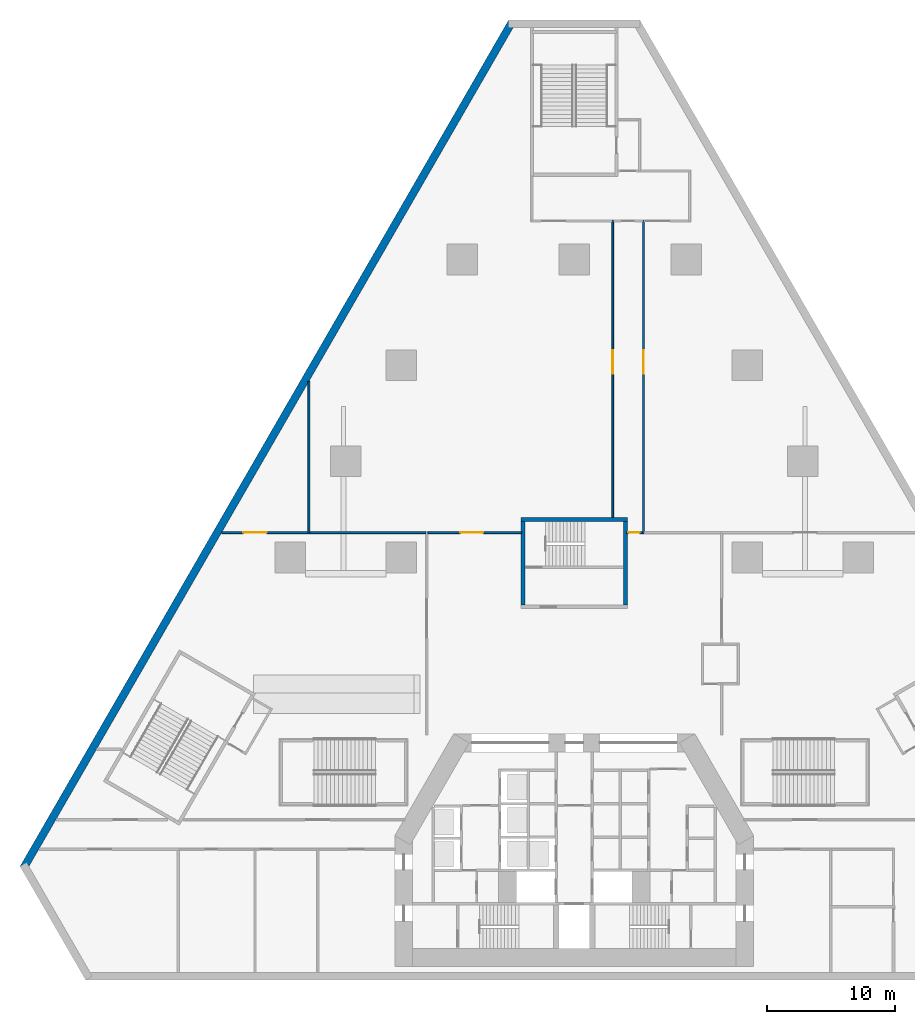
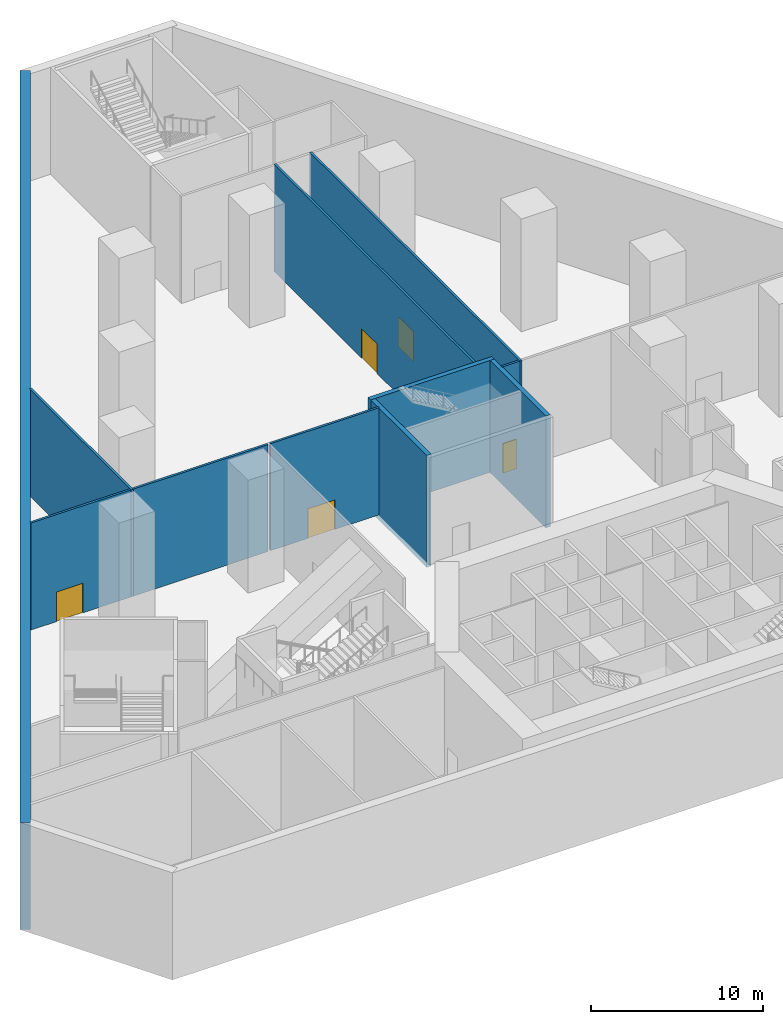
# One storey, part 5 of 11: 11 walls, 5 doors, 5 openings.
"""IFC4 building model written with IfcOpenShell, lengths in metres."""

from ifc_helpers import new_model, si_unit, direction, frame, frame_2d, origin, place, context, subcontext, project, spatial, rectangle, extrude, material, layer, layer_set, type_object, element, fill, save


model = new_model("IFC4")

# Units and contexts
model_context = context("Model", 3, precision=1e-05, world=origin(), true_north=direction((0.0, 1.0)))
body_context = subcontext(model_context, "Body", "Model", "MODEL_VIEW")
ifc_project = project(units=[si_unit("LENGTHUNIT", "METRE"), si_unit("AREAUNIT", "SQUARE_METRE"), si_unit("VOLUMEUNIT", "CUBIC_METRE"), si_unit("PLANEANGLEUNIT", "RADIAN"), si_unit("MASSUNIT", "GRAM", prefix="KILO")], contexts=[model_context])

# Site, building, storey
site_placement = place(None, origin())
site = spatial("IfcSite", under=ifc_project, at=site_placement, CompositionType="ELEMENT")
building_placement = place(site_placement, origin())
building = spatial("IfcBuilding", under=site, at=building_placement, Name="Fogline Exchange Tower", CompositionType="ELEMENT")
storey_placement = place(building_placement, frame((0.0, 0.0, -8.0)))
storey = spatial("IfcBuildingStorey", under=building, at=storey_placement, Name="B1", CompositionType="ELEMENT", Elevation=-8.0)

# Walls
ifc_material_1 = material(Name="Concrete C40", Category="concrete")
ifc_layer_1 = layer(ifc_material_1, 0.300048828125)
ifc_layer_set_1 = layer_set([ifc_layer_1], Name="CW30")
wall_type_1 = type_object("IfcWallType", Name="CW30", PredefinedType="SOLIDWALL", material=ifc_layer_set_1)
wall_1_placement = place(storey_placement, frame((-4.14990234375, 35.70703125, -0.35009765625), z_axis=(0.0, 0.0, 1.0), x_axis=(1.0, 0.0, 0.0)))
element("IfcWall", 1, at=wall_1_placement, inside=storey, type_object=wall_type_1, Name="Stair enclosure wall ST3", PredefinedType="SOLIDWALL", context=body_context, shape_type="SweptSolid", body=[
    extrude(rectangle(XDim=8.2998046875, YDim=0.300048828125, at=frame_2d((4.14990234375, 0.0))), origin(), (0.0, 0.0, 1.0), 7.9501953125),
])
for number, where, z_axis, x_axis, name in (
    (2, (-4.0, 29.056884765625, -0.35009765625), (0.0, 0.0, 1.0), (0.0, 1.0, 0.0), "Stair enclosure wall ST3"),
    (3, (4.0, 29.056884765625, -0.35009765625), (0.0, 0.0, 1.0), (0.0, 1.0, 0.0), "Stair enclosure wall ST3"),
):
    element("IfcWall", number, at=place(storey_placement, frame(where, z_axis=z_axis, x_axis=x_axis)), inside=storey, type_object=wall_type_1, Name=name, PredefinedType="SOLIDWALL", context=body_context, shape_type="SweptSolid", body=[
        extrude(rectangle(XDim=6.5, YDim=0.300048828125, at=frame_2d((3.25, 0.0))), origin(), (0.0, 0.0, 1.0), 7.9501953125),
    ])

# Wall, opening, door
ifc_material_2 = material(Name="Plasterboard on steel stud", Category="steel")
ifc_layer_2 = layer(ifc_material_2, 0.14990234375)
ifc_layer_set_2 = layer_set([ifc_layer_2], Name="PP1")
wall_type_2 = type_object("IfcWallType", Name="PP1", PredefinedType="PARTITIONING", material=ifc_layer_set_2)
wall_2_placement = place(storey_placement, frame((-20.77490234375, 34.699951171875, 0.0), z_axis=(0.0, 0.0, 1.0), x_axis=(-1.0, 0.0, 0.0)))
wall_2 = element("IfcWall", 4, at=wall_2_placement, inside=storey, type_object=wall_type_2, Name="PP1 partition", PredefinedType="PARTITIONING", context=body_context, shape_type="SweptSolid", body=[
    extrude(rectangle(XDim=6.729248046875, YDim=0.14990234375, at=frame_2d((3.36474609375, 0.0))), origin(), (0.0, 0.0, 1.0), 7.60009765625),
])
opening_1_placement = place(wall_2_placement, frame((3.22509765625, 0.0, 0.0)))
opening_1 = element("IfcOpeningElement", 5, at=opening_1_placement, cuts=wall_2, Name="Opening B1-D021", PredefinedType="OPENING", context=body_context, shape_type="SweptSolid", body=[
    extrude(rectangle(XDim=1.800048828125, YDim=2.10009765625, at=frame_2d((0.89990234375, 1.050048828125))), frame((0.0, 0.0849609375, 0.0), z_axis=(0.0, -1.0, 0.0), x_axis=(1.0, 0.0, 0.0)), (0.0, 0.0, 1.0), 0.169921875),
])
ifc_material_3 = material(Name="Timber", Category="wood")
door_type_1 = type_object("IfcDoorType", Name="PD3", OperationType="DOUBLE_DOOR_SINGLE_SWING", PredefinedType="DOOR", material=ifc_material_3)
door_1_placement = place(opening_1_placement, frame((1.800048828125, 0.0, 0.0), z_axis=(0.0, 0.0, 1.0), x_axis=(-1.0, 0.0, 0.0)))
door_1 = element("IfcDoor", 6, at=door_1_placement, inside=storey, type_object=door_type_1, Name="B1-D021", OperationType="DOUBLE_DOOR_SINGLE_SWING", OverallHeight=2.10009765625, OverallWidth=1.800048828125, PredefinedType="DOOR", context=body_context, shape_type="SweptSolid", body=[
    extrude(rectangle(XDim=1.800048828125, YDim=2.10009765625, at=frame_2d((0.89990234375, 1.050048828125))), frame((0.0, 0.02490234375, 0.0), z_axis=(0.0, -1.0, 0.0), x_axis=(1.0, 0.0, 0.0)), (0.0, 0.0, 1.0), 0.050048828125),
])
fill(opening_1, door_1)

# Wall
wall_3_placement = place(storey_placement, frame((-11.574951171875, 34.699951171875, 0.0), z_axis=(0.0, 0.0, 1.0), x_axis=(-1.0, 0.0, 0.0)))
element("IfcWall", 7, at=wall_3_placement, inside=storey, type_object=wall_type_2, Name="PP1 partition", PredefinedType="PARTITIONING", context=body_context, shape_type="SweptSolid", body=[
    extrude(rectangle(XDim=9.050048828125, YDim=0.14990234375, at=frame_2d((4.52490234375, 0.0))), origin(), (0.0, 0.0, 1.0), 7.60009765625),
])

# Wall, opening, door
wall_4_placement = place(storey_placement, frame((-4.10498046875, 34.699951171875, 0.0), z_axis=(0.0, 0.0, 1.0), x_axis=(-1.0, 0.0, 0.0)))
wall_4 = element("IfcWall", 8, at=wall_4_placement, inside=storey, type_object=wall_type_2, Name="PP1 partition", PredefinedType="PARTITIONING", context=body_context, shape_type="SweptSolid", body=[
    extrude(rectangle(XDim=7.320068359375, YDim=0.14990234375, at=frame_2d((3.66015625, 0.0))), origin(), (0.0, 0.0, 1.0), 7.60009765625),
])
opening_2_placement = place(wall_4_placement, frame((2.9951171875, 0.0, 0.0)))
opening_2 = element("IfcOpeningElement", 9, at=opening_2_placement, cuts=wall_4, Name="Opening B1-D022", PredefinedType="OPENING", context=body_context, shape_type="SweptSolid", body=[
    extrude(rectangle(XDim=1.800048828125, YDim=2.10009765625, at=frame_2d((0.89990234375, 1.050048828125))), frame((0.0, 0.0849609375, 0.0), z_axis=(0.0, -1.0, 0.0), x_axis=(1.0, 0.0, 0.0)), (0.0, 0.0, 1.0), 0.169921875),
])
door_2_placement = place(opening_2_placement, frame((1.800048828125, 0.0, 0.0), z_axis=(0.0, 0.0, 1.0), x_axis=(-1.0, 0.0, 0.0)))
door_2 = element("IfcDoor", 10, at=door_2_placement, inside=storey, type_object=door_type_1, Name="B1-D022", OperationType="DOUBLE_DOOR_SINGLE_SWING", OverallHeight=2.10009765625, OverallWidth=1.800048828125, PredefinedType="DOOR", context=body_context, shape_type="SweptSolid", body=[
    extrude(rectangle(XDim=1.800048828125, YDim=2.10009765625, at=frame_2d((0.89990234375, 1.050048828125))), frame((0.0, 0.02490234375, 0.0), z_axis=(0.0, -1.0, 0.0), x_axis=(1.0, 0.0, 0.0)), (0.0, 0.0, 1.0), 0.050048828125),
])
fill(opening_2, door_2)

wall_5_placement = place(storey_placement, frame((5.324951171875, 34.699951171875, 0.0), z_axis=(0.0, 0.0, 1.0), x_axis=(-1.0, 0.0, 0.0)))
wall_5 = element("IfcWall", 11, at=wall_5_placement, inside=storey, type_object=wall_type_2, Name="PP1 partition", PredefinedType="PARTITIONING", context=body_context, shape_type="SweptSolid", body=[
    extrude(rectangle(XDim=1.219970703125, YDim=0.14990234375, at=frame_2d((0.60986328125, 0.0))), origin(), (0.0, 0.0, 1.0), 7.60009765625),
])
opening_3_placement = place(wall_5_placement, frame((0.199951171875, 0.0, 0.0)))
opening_3 = element("IfcOpeningElement", 12, at=opening_3_placement, cuts=wall_5, Name="Opening B1-D026", PredefinedType="OPENING", context=body_context, shape_type="SweptSolid", body=[
    extrude(rectangle(XDim=0.89990234375, YDim=2.10009765625, at=frame_2d((0.449951171875, 1.050048828125))), frame((0.0, 0.0849609375, 0.0), z_axis=(0.0, -1.0, 0.0), x_axis=(1.0, 0.0, 0.0)), (0.0, 0.0, 1.0), 0.169921875),
])
door_type_2 = type_object("IfcDoorType", Name="PD2", OperationType="SINGLE_SWING_LEFT", PredefinedType="DOOR", material=ifc_material_3)
door_3_placement = place(opening_3_placement, frame((0.89990234375, 0.0, 0.0), z_axis=(0.0, 0.0, 1.0), x_axis=(-1.0, 0.0, 0.0)))
door_3 = element("IfcDoor", 13, at=door_3_placement, inside=storey, type_object=door_type_2, Name="B1-D026", OperationType="SINGLE_SWING_LEFT", OverallHeight=2.10009765625, OverallWidth=0.89990234375, PredefinedType="DOOR", context=body_context, shape_type="SweptSolid", body=[
    extrude(rectangle(XDim=0.89990234375, YDim=2.10009765625, at=frame_2d((0.449951171875, 1.050048828125))), frame((0.0, 0.02490234375, 0.0), z_axis=(0.0, -1.0, 0.0), x_axis=(1.0, 0.0, 0.0)), (0.0, 0.0, 1.0), 0.050048828125),
])
fill(opening_3, door_3)

wall_6_placement = place(storey_placement, frame((3.0, 35.81201171875, 0.0), z_axis=(0.0, 0.0, 1.0), x_axis=(0.0, 1.0, 0.0)))
wall_6 = element("IfcWall", 14, at=wall_6_placement, inside=storey, type_object=wall_type_2, Name="PP1 partition", PredefinedType="PARTITIONING", context=body_context, shape_type="SweptSolid", body=[
    extrude(rectangle(XDim=23.262939453125, YDim=0.14990234375, at=frame_2d((11.63134765625, 0.0))), origin(), (0.0, 0.0, 1.0), 7.60009765625),
])
opening_4_placement = place(wall_6_placement, frame((11.2880859375, 0.0, 0.0)))
opening_4 = element("IfcOpeningElement", 15, at=opening_4_placement, cuts=wall_6, Name="Opening B1-D028", PredefinedType="OPENING", context=body_context, shape_type="SweptSolid", body=[
    extrude(rectangle(XDim=1.800048828125, YDim=2.10009765625, at=frame_2d((0.89990234375, 1.050048828125))), frame((0.0, 0.0849609375, 0.0), z_axis=(0.0, -1.0, 0.0), x_axis=(1.0, 0.0, 0.0)), (0.0, 0.0, 1.0), 0.169921875),
])
door_4_placement = place(opening_4_placement, origin())
door_4 = element("IfcDoor", 16, at=door_4_placement, inside=storey, type_object=door_type_1, Name="B1-D028", OperationType="DOUBLE_DOOR_SINGLE_SWING", OverallHeight=2.10009765625, OverallWidth=1.800048828125, PredefinedType="DOOR", context=body_context, shape_type="SweptSolid", body=[
    extrude(rectangle(XDim=1.800048828125, YDim=2.10009765625, at=frame_2d((0.89990234375, 1.050048828125))), frame((0.0, 0.02490234375, 0.0), z_axis=(0.0, -1.0, 0.0), x_axis=(1.0, 0.0, 0.0)), (0.0, 0.0, 1.0), 0.050048828125),
])
fill(opening_4, door_4)

# Wall
wall_7_placement = place(storey_placement, frame((-20.699951171875, 46.485107421875, 0.0), z_axis=(0.0, 0.0, 1.0), x_axis=(0.0, -1.0, 0.0)))
element("IfcWall", 17, at=wall_7_placement, inside=storey, type_object=wall_type_2, Name="PP1 partition", PredefinedType="PARTITIONING", context=body_context, shape_type="SweptSolid", body=[
    extrude(rectangle(XDim=11.860107421875, YDim=0.14990234375, at=frame_2d((5.93017578125, 0.0))), origin(), (0.0, 0.0, 1.0), 7.60009765625),
])

# Wall, opening, door
wall_8_placement = place(storey_placement, frame((5.39990234375, 59.074951171875, 0.0), z_axis=(0.0, 0.0, 1.0), x_axis=(0.0, -1.0, 0.0)))
wall_8 = element("IfcWall", 18, at=wall_8_placement, inside=storey, type_object=wall_type_2, Name="PP1 partition", PredefinedType="PARTITIONING", context=body_context, shape_type="SweptSolid", body=[
    extrude(rectangle(XDim=24.449951171875, YDim=0.14990234375, at=frame_2d((12.22509765625, 0.0))), origin(), (0.0, 0.0, 1.0), 7.60009765625),
])
opening_5_placement = place(wall_8_placement, frame((10.175048828125, 0.0, 0.0)))
opening_5 = element("IfcOpeningElement", 19, at=opening_5_placement, cuts=wall_8, Name="Opening B1-D029", PredefinedType="OPENING", context=body_context, shape_type="SweptSolid", body=[
    extrude(rectangle(XDim=1.800048828125, YDim=2.10009765625, at=frame_2d((0.89990234375, 1.050048828125))), frame((0.0, 0.0849609375, 0.0), z_axis=(0.0, -1.0, 0.0), x_axis=(1.0, 0.0, 0.0)), (0.0, 0.0, 1.0), 0.169921875),
])
door_5_placement = place(opening_5_placement, origin())
door_5 = element("IfcDoor", 20, at=door_5_placement, inside=storey, type_object=door_type_1, Name="B1-D029", OperationType="DOUBLE_DOOR_SINGLE_SWING", OverallHeight=2.10009765625, OverallWidth=1.800048828125, PredefinedType="DOOR", context=body_context, shape_type="SweptSolid", body=[
    extrude(rectangle(XDim=1.800048828125, YDim=2.10009765625, at=frame_2d((0.89990234375, 1.050048828125))), frame((0.0, 0.02490234375, 0.0), z_axis=(0.0, -1.0, 0.0), x_axis=(1.0, 0.0, 0.0)), (0.0, 0.0, 1.0), 0.050048828125),
])
fill(opening_5, door_5)

# Wall
ifc_layer_3 = layer(ifc_material_1, 0.60009765625)
ifc_layer_set_3 = layer_set([ifc_layer_3], Name="RW01")
wall_type_3 = type_object("IfcWallType", Name="RW01", PredefinedType="SOLIDWALL", material=ifc_layer_set_3)
wall_9_placement = place(storey_placement, frame((-4.855712890625, 74.5283203125, 0.0), z_axis=(0.0, 0.0, 1.0), x_axis=(-0.499999312333, -0.866025800809, 0.0)))
element("IfcWall", 21, at=wall_9_placement, inside=storey, type_object=wall_type_3, Name="B1-W906", PredefinedType="SOLIDWALL", context=body_context, shape_type="SweptSolid", body=[
    extrude(rectangle(XDim=76.23095703125, YDim=0.60009765625, at=frame_2d((38.115478515625, 0.0))), origin(), (0.0, 0.0, 1.0), 7.60009765625),
])

save(model, "model.ifc")
